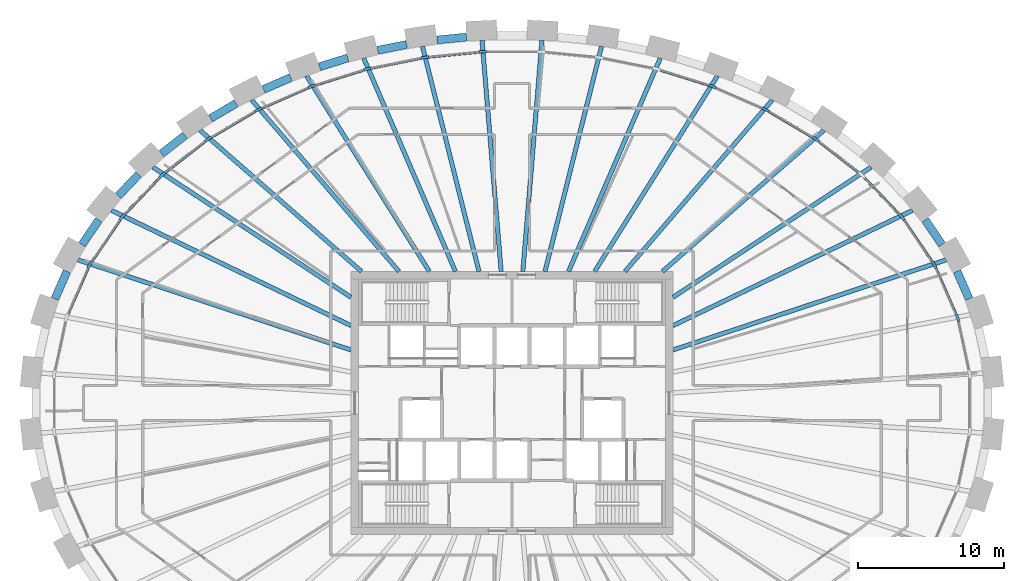
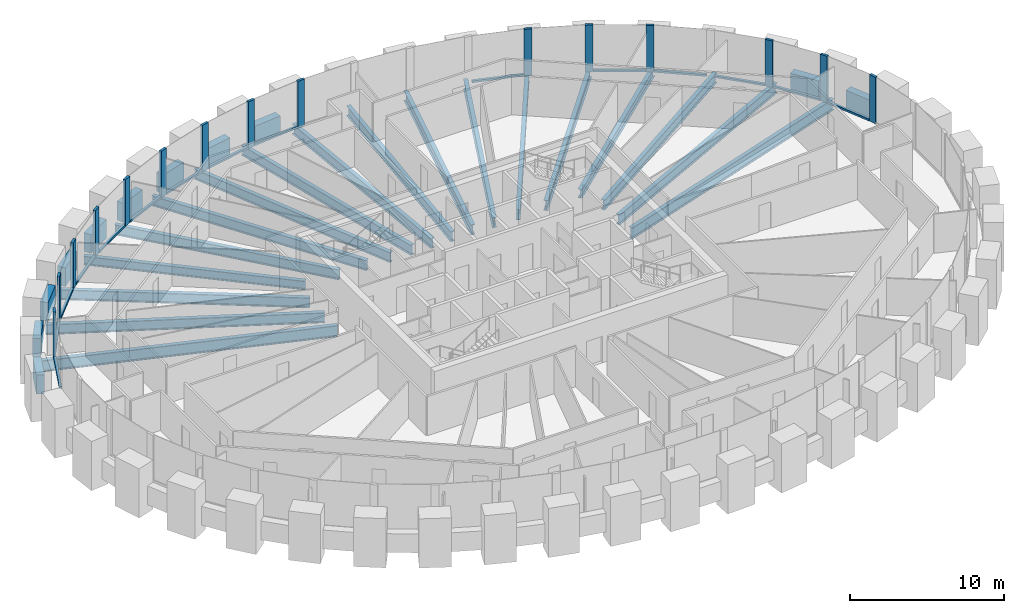
# One storey, part 3 of 12: 30 members, 29 beams, 1 element without a shape of its own.
"""IFC4 building model written with IfcOpenShell, lengths in metres."""

from ifc_helpers import new_model, si_unit, direction, frame, origin, origin_2d, place, context, subcontext, project, spatial, rectangle, i_section, extrude, source, transform, mapped, material, material_profile, profile_set, type_object, element, aggregate, save


model = new_model("IFC4")

# Units and contexts
model_context = context("Model", 3, precision=1e-05, world=origin(), true_north=direction((0.0, 1.0)))
body_context = subcontext(model_context, "Body", "Model", "MODEL_VIEW")
ifc_project = project(units=[si_unit("LENGTHUNIT", "METRE"), si_unit("AREAUNIT", "SQUARE_METRE"), si_unit("VOLUMEUNIT", "CUBIC_METRE"), si_unit("PLANEANGLEUNIT", "RADIAN"), si_unit("MASSUNIT", "GRAM", prefix="KILO")], contexts=[model_context])

# Site, building, storey
site_placement = place(None, origin())
site = spatial("IfcSite", under=ifc_project, at=site_placement, CompositionType="ELEMENT")
building_placement = place(site_placement, origin())
building = spatial("IfcBuilding", under=site, at=building_placement, Name="Embergate Tower", CompositionType="ELEMENT")
storey_placement = place(building_placement, frame((0.0, 0.0, 265.60009765625)))
storey = spatial("IfcBuildingStorey", under=building, at=storey_placement, Name="L61", CompositionType="ELEMENT", Elevation=265.60009765625)

# Beams
ifc_material_1 = material(Name="Concrete C60", Category="concrete")
ifc_material_profile_1 = material_profile(ifc_material_1, rectangle(XDim=0.550048828125, YDim=1.5, at=origin_2d()), Name="RC 550x1500")
ifc_profile_set_1 = profile_set([ifc_material_profile_1], Name="Concrete C60")
beam_type_1 = type_object("IfcBeamType", Name="Spandrel beam RC 550x1500 C60", PredefinedType="BEAM", material=ifc_profile_set_1)
shared_shape_1 = source(origin(), body_context, "Body", "SweptSolid", [
    extrude(rectangle(XDim=0.550048828125, YDim=1.5, at=origin_2d()), origin(), (0.0, 0.0, 1.0), 2.054443359375),
])
for number, where, z_axis, x_axis, name in (
    (1, (31.264892578125, 7.126953125, 0.0), (-0.402021652571, 0.915630160526, 0.0), (-0.915630160526, -0.402021652571, 0.0), "SPN-L61-01"),
    (2, (-30.43896484375, 9.008056640625, 0.0), (-0.402021652571, -0.915630160526, 0.0), (0.915630160526, -0.402021652571, 0.0), "SPN-L61-19"),
):
    element("IfcBeam", number, at=place(storey_placement, frame(where, z_axis=z_axis, x_axis=x_axis)), inside=storey, type_object=beam_type_1, Name=name, PredefinedType="BEAM", context=body_context, shape_type="MappedRepresentation", body=[
        mapped(shared_shape_1, transform((0.0, 0.0, 0.0))),
    ])
shared_shape_2 = source(origin(), body_context, "Body", "SweptSolid", [
    extrude(rectangle(XDim=0.550048828125, YDim=1.5, at=origin_2d()), origin(), (0.0, 0.0, 1.0), 2.046630859375),
])
for number, where, z_axis, x_axis, name in (
    (3, (29.405029296875, 10.8359375, 0.0), (-0.562466632366, 0.826819984927, 0.0), (-0.826819984927, -0.562466632366, 0.0), "SPN-L61-02"),
    (4, (-28.25390625, 12.528076171875, 0.0), (-0.562466632366, -0.826819984927, 0.0), (0.826819984927, -0.562466632366, 0.0), "SPN-L61-18"),
):
    element("IfcBeam", number, at=place(storey_placement, frame(where, z_axis=z_axis, x_axis=x_axis)), inside=storey, type_object=beam_type_1, Name=name, PredefinedType="BEAM", context=body_context, shape_type="MappedRepresentation", body=[
        mapped(shared_shape_2, transform((0.0, 0.0, 0.0))),
    ])
shared_shape_3 = source(origin(), body_context, "Body", "SweptSolid", [
    extrude(rectangle(XDim=0.550048828125, YDim=1.5, at=origin_2d()), origin(), (0.0, 0.0, 1.0), 2.042724609375),
])
beam_1_placement = place(storey_placement, frame((-25.52490234375, 15.638916015625, 0.0), z_axis=(-0.690299494905, -0.723523743448, 0.0), x_axis=(0.723523743448, -0.690299494905, 0.0)))
element("IfcBeam", 5, at=beam_1_placement, inside=storey, type_object=beam_type_1, Name="SPN-L61-17", PredefinedType="BEAM", context=body_context, shape_type="MappedRepresentation", body=[
    mapped(shared_shape_3, transform((0.0, 0.0, 0.0))),
])
shared_shape_4 = source(origin(), body_context, "Body", "SweptSolid", [
    extrude(rectangle(XDim=0.550048828125, YDim=1.5, at=origin_2d()), origin(), (0.0, 0.0, 1.0), 2.038330078125),
])
beam_2_placement = place(storey_placement, frame((-22.362060546875, 18.302978515625, 0.0), z_axis=(-0.78838379352, -0.615183707615, 0.0), x_axis=(0.615183707615, -0.78838379352, 0.0)))
element("IfcBeam", 6, at=beam_2_placement, inside=storey, type_object=beam_type_1, Name="SPN-L61-16", PredefinedType="BEAM", context=body_context, shape_type="MappedRepresentation", body=[
    mapped(shared_shape_4, transform((0.0, 0.0, 0.0))),
])
shared_shape_5 = source(origin(), body_context, "Body", "SweptSolid", [
    extrude(rectangle(XDim=0.550048828125, YDim=1.5, at=origin_2d()), origin(), (0.0, 0.0, 1.0), 2.0322265625),
])
beam_3_placement = place(storey_placement, frame((-18.862060546875, 20.4970703125, 0.0), z_axis=(-0.862048455152, -0.50682586849, 0.0), x_axis=(0.50682586849, -0.862048455152, 0.0)))
element("IfcBeam", 7, at=beam_3_placement, inside=storey, type_object=beam_type_1, Name="SPN-L61-15", PredefinedType="BEAM", context=body_context, shape_type="MappedRepresentation", body=[
    mapped(shared_shape_5, transform((0.0, 0.0, 0.0))),
])
shared_shape_6 = source(origin(), body_context, "Body", "SweptSolid", [
    extrude(rectangle(XDim=0.550048828125, YDim=1.5, at=origin_2d()), origin(), (0.0, 0.0, 1.0), 2.03076171875),
])
beam_4_placement = place(storey_placement, frame((-15.131103515625, 22.264892578125, 0.0), z_axis=(-0.916361402872, -0.400352069216, 0.0), x_axis=(0.400352069216, -0.916361402872, 0.0)))
element("IfcBeam", 8, at=beam_4_placement, inside=storey, type_object=beam_type_1, Name="SPN-L61-14", PredefinedType="BEAM", context=body_context, shape_type="MappedRepresentation", body=[
    mapped(shared_shape_6, transform((0.0, 0.0, 0.0))),
])
shared_shape_7 = source(origin(), body_context, "Body", "SweptSolid", [
    extrude(rectangle(XDim=0.550048828125, YDim=1.5, at=origin_2d()), origin(), (0.0, 0.0, 1.0), 2.02880859375),
])
beam_5_placement = place(storey_placement, frame((-11.22705078125, 23.60205078125, 0.0), z_axis=(-0.954800624546, -0.297246980417, 0.0), x_axis=(0.297246980417, -0.954800624546, 0.0)))
element("IfcBeam", 9, at=beam_5_placement, inside=storey, type_object=beam_type_1, Name="SPN-L61-13", PredefinedType="BEAM", context=body_context, shape_type="MappedRepresentation", body=[
    mapped(shared_shape_7, transform((0.0, 0.0, 0.0))),
])
shared_shape_8 = source(origin(), body_context, "Body", "SweptSolid", [
    extrude(rectangle(XDim=0.550048828125, YDim=1.5, at=origin_2d()), origin(), (0.0, 0.0, 1.0), 2.02734375),
])
beam_6_placement = place(storey_placement, frame((-7.2041015625, 24.52001953125, 0.0), z_axis=(-0.980543602706, -0.196301409041, 0.0), x_axis=(0.196301409041, -0.980543602706, 0.0)))
element("IfcBeam", 10, at=beam_6_placement, inside=storey, type_object=beam_type_1, Name="SPN-L61-12", PredefinedType="BEAM", context=body_context, shape_type="MappedRepresentation", body=[
    mapped(shared_shape_8, transform((0.0, 0.0, 0.0))),
])
shared_shape_9 = source(origin(), body_context, "Body", "SweptSolid", [
    extrude(rectangle(XDim=0.550048828125, YDim=1.5, at=origin_2d()), origin(), (0.0, 0.0, 1.0), 2.025634765625),
])
beam_7_placement = place(storey_placement, frame((-3.111083984375, 25.028076171875, 0.0), z_axis=(-0.995211067802, -0.097749324935, 0.0), x_axis=(0.097749324935, -0.995211067802, 0.0)))
element("IfcBeam", 11, at=beam_7_placement, inside=storey, type_object=beam_type_1, Name="SPN-L61-11", PredefinedType="BEAM", context=body_context, shape_type="MappedRepresentation", body=[
    mapped(shared_shape_9, transform((0.0, 0.0, 0.0))),
])
ifc_material_2 = material(Name="Steel Q355B", Category="steel")
ifc_material_profile_2 = material_profile(ifc_material_2, i_section(OverallWidth=0.300048828125, OverallDepth=0.89990234375, WebThickness=0.01611328125, FlangeThickness=0.028076171875, FilletRadius=0.028076171875, at=origin_2d()), Name="HN 900x300x16x28")
ifc_profile_set_2 = profile_set([ifc_material_profile_2], Name="Steel Q355 grade B")
beam_type_2 = type_object("IfcBeamType", Name="Radial girder HN 900x300x16x28", PredefinedType="BEAM", material=ifc_profile_set_2)
shared_shape_10 = source(origin(), body_context, "Body", "SweptSolid", [
    extrude(i_section(OverallWidth=0.300048828125, OverallDepth=0.89990234375, WebThickness=0.01611328125, FlangeThickness=0.028076171875, FilletRadius=0.028076171875, at=origin_2d()), origin(), (0.0, 0.0, 1.0), 19.67578125),
])
for number, where, z_axis, x_axis, name in (
    (12, (29.68603515625, 9.7900390625, -0.650146484375), (-0.949693396369, -0.313181182215, 0.0), (0.313181182215, -0.949693396369, 0.0), "GIR-L61-02"),
    (13, (-29.68603515625, 9.7900390625, -0.650146484375), (0.949693396369, -0.313181182215, 0.0), (0.313181182215, 0.949693396369, 0.0), "GIR-L61-19"),
):
    element("IfcBeam", number, at=place(storey_placement, frame(where, z_axis=z_axis, x_axis=x_axis)), inside=storey, type_object=beam_type_2, Name=name, PredefinedType="BEAM", context=body_context, shape_type="MappedRepresentation", body=[
        mapped(shared_shape_10, transform((0.0, 0.0, 0.0))),
    ])
ifc_material_profile_3 = material_profile(ifc_material_2, i_section(OverallWidth=0.300048828125, OverallDepth=0.800048828125, WebThickness=0.013916015625, FlangeThickness=0.02587890625, FilletRadius=0.028076171875, at=origin_2d()), Name="HN 800x300x14x26")
ifc_profile_set_3 = profile_set([ifc_material_profile_3], Name="Steel Q355 grade B")
beam_type_3 = type_object("IfcBeamType", Name="Radial girder HN 800x300x14x26", PredefinedType="BEAM", material=ifc_profile_set_3)
shared_shape_11 = source(origin(), body_context, "Body", "SweptSolid", [
    extrude(i_section(OverallWidth=0.300048828125, OverallDepth=0.800048828125, WebThickness=0.013916015625, FlangeThickness=0.02587890625, FilletRadius=0.028076171875, at=origin_2d()), origin(), (0.0, 0.0, 1.0), 18.182373046875),
])
for number, where, z_axis, x_axis, name in (
    (14, (27.385009765625, 13.174072265625, -0.60009765625), (-0.901152068073, -0.433503114415, 0.0), (0.433503114415, -0.901152068073, 0.0), "GIR-L61-03"),
    (15, (-27.385009765625, 13.174072265625, -0.60009765625), (0.901152068073, -0.433503114415, 0.0), (0.433503114415, 0.901152068073, 0.0), "GIR-L61-18"),
):
    element("IfcBeam", number, at=place(storey_placement, frame(where, z_axis=z_axis, x_axis=x_axis)), inside=storey, type_object=beam_type_3, Name=name, PredefinedType="BEAM", context=body_context, shape_type="MappedRepresentation", body=[
        mapped(shared_shape_11, transform((0.0, 0.0, 0.0))),
    ])
shared_shape_12 = source(origin(), body_context, "Body", "SweptSolid", [
    extrude(i_section(OverallWidth=0.300048828125, OverallDepth=0.800048828125, WebThickness=0.013916015625, FlangeThickness=0.02587890625, FilletRadius=0.028076171875, at=origin_2d()), origin(), (0.0, 0.0, 1.0), 16.224853515625),
])
for number, where, z_axis, x_axis, name in (
    (16, (24.56005859375, 16.135986328125, -0.60009765625), (-0.83576092079, -0.549093510506, 0.0), (0.549093510506, -0.83576092079, 0.0), "GIR-L61-04"),
    (17, (-24.56005859375, 16.135986328125, -0.60009765625), (0.83576092079, -0.549093510506, 0.0), (0.549093510506, 0.83576092079, 0.0), "GIR-L61-17"),
):
    element("IfcBeam", number, at=place(storey_placement, frame(where, z_axis=z_axis, x_axis=x_axis)), inside=storey, type_object=beam_type_3, Name=name, PredefinedType="BEAM", context=body_context, shape_type="MappedRepresentation", body=[
        mapped(shared_shape_12, transform((0.0, 0.0, 0.0))),
    ])
ifc_material_profile_4 = material_profile(ifc_material_2, i_section(OverallWidth=0.300048828125, OverallDepth=0.699951171875, WebThickness=0.012939453125, FlangeThickness=0.02392578125, FilletRadius=0.01806640625, at=origin_2d()), Name="HN 700x300x13x24")
ifc_profile_set_4 = profile_set([ifc_material_profile_4], Name="Steel Q355 grade B")
beam_type_4 = type_object("IfcBeamType", Name="Radial girder HN 700x300x13x24", PredefinedType="BEAM", material=ifc_profile_set_4)
shared_shape_13 = source(origin(), body_context, "Body", "SweptSolid", [
    extrude(i_section(OverallWidth=0.300048828125, OverallDepth=0.699951171875, WebThickness=0.012939453125, FlangeThickness=0.02392578125, FilletRadius=0.01806640625, at=origin_2d()), origin(), (0.0, 0.0, 1.0), 14.66845703125),
])
for number, where, z_axis, x_axis, name in (
    (18, (21.3330078125, 18.656005859375, -0.550048828125), (-0.752770497305, -0.658283053395, 0.0), (0.658283053395, -0.752770497305, 0.0), "GIR-L61-05"),
    (19, (-21.3330078125, 18.656005859375, -0.550048828125), (0.752770497305, -0.658283053395, 0.0), (0.658283053395, 0.752770497305, 0.0), "GIR-L61-16"),
):
    element("IfcBeam", number, at=place(storey_placement, frame(where, z_axis=z_axis, x_axis=x_axis)), inside=storey, type_object=beam_type_4, Name=name, PredefinedType="BEAM", context=body_context, shape_type="MappedRepresentation", body=[
        mapped(shared_shape_13, transform((0.0, 0.0, 0.0))),
    ])
shared_shape_14 = source(origin(), body_context, "Body", "SweptSolid", [
    extrude(i_section(OverallWidth=0.300048828125, OverallDepth=0.800048828125, WebThickness=0.013916015625, FlangeThickness=0.02587890625, FilletRadius=0.028076171875, at=origin_2d()), origin(), (0.0, 0.0, 1.0), 15.462890625),
])
for number, where, z_axis, x_axis, name in (
    (20, (17.802978515625, 20.73095703125, -0.60009765625), (-0.651494533004, -0.75865332891, 0.0), (0.75865332891, -0.651494533004, 0.0), "GIR-L61-06"),
    (21, (-17.802978515625, 20.73095703125, -0.60009765625), (0.651494533004, -0.75865332891, 0.0), (0.75865332891, 0.651494533004, 0.0), "GIR-L61-15"),
):
    element("IfcBeam", number, at=place(storey_placement, frame(where, z_axis=z_axis, x_axis=x_axis)), inside=storey, type_object=beam_type_3, Name=name, PredefinedType="BEAM", context=body_context, shape_type="MappedRepresentation", body=[
        mapped(shared_shape_14, transform((0.0, 0.0, 0.0))),
    ])
shared_shape_15 = source(origin(), body_context, "Body", "SweptSolid", [
    extrude(i_section(OverallWidth=0.300048828125, OverallDepth=0.800048828125, WebThickness=0.013916015625, FlangeThickness=0.02587890625, FilletRadius=0.028076171875, at=origin_2d()), origin(), (0.0, 0.0, 1.0), 15.791015625),
])
for number, where, z_axis, x_axis, name in (
    (22, (14.051025390625, 22.3720703125, -0.60009765625), (-0.531882110567, -0.846818410557, 0.0), (0.846818410557, -0.531882110567, 0.0), "GIR-L61-07"),
    (23, (-14.051025390625, 22.3720703125, -0.60009765625), (0.531882110567, -0.846818410557, 0.0), (0.846818410557, 0.531882110567, 0.0), "GIR-L61-14"),
):
    element("IfcBeam", number, at=place(storey_placement, frame(where, z_axis=z_axis, x_axis=x_axis)), inside=storey, type_object=beam_type_3, Name=name, PredefinedType="BEAM", context=body_context, shape_type="MappedRepresentation", body=[
        mapped(shared_shape_15, transform((0.0, 0.0, 0.0))),
    ])
shared_shape_16 = source(origin(), body_context, "Body", "SweptSolid", [
    extrude(i_section(OverallWidth=0.300048828125, OverallDepth=0.800048828125, WebThickness=0.013916015625, FlangeThickness=0.02587890625, FilletRadius=0.028076171875, at=origin_2d()), origin(), (0.0, 0.0, 1.0), 15.881103515625),
])
for number, where, z_axis, x_axis, name in (
    (24, (10.14111328125, 23.590087890625, -0.60009765625), (-0.394946920714, -0.918703940243, 0.0), (0.918703940243, -0.394946920714, 0.0), "GIR-L61-08"),
    (25, (-10.14111328125, 23.590087890625, -0.60009765625), (0.394946920714, -0.918703940243, 0.0), (0.918703940243, 0.394946920714, 0.0), "GIR-L61-13"),
):
    element("IfcBeam", number, at=place(storey_placement, frame(where, z_axis=z_axis, x_axis=x_axis)), inside=storey, type_object=beam_type_3, Name=name, PredefinedType="BEAM", context=body_context, shape_type="MappedRepresentation", body=[
        mapped(shared_shape_16, transform((0.0, 0.0, 0.0))),
    ])
shared_shape_17 = source(origin(), body_context, "Body", "SweptSolid", [
    extrude(i_section(OverallWidth=0.300048828125, OverallDepth=0.800048828125, WebThickness=0.013916015625, FlangeThickness=0.02587890625, FilletRadius=0.028076171875, at=origin_2d()), origin(), (0.0, 0.0, 1.0), 15.872802734375),
])
for number, where, z_axis, x_axis, name in (
    (26, (6.1240234375, 24.39501953125, -0.60009765625), (-0.243498181484, -0.969901353548, 0.0), (0.969901353548, -0.243498181484, 0.0), "GIR-L61-09"),
    (27, (-6.1240234375, 24.39501953125, -0.60009765625), (0.243498181484, -0.969901353548, 0.0), (0.969901353548, 0.243498181484, 0.0), "GIR-L61-12"),
):
    element("IfcBeam", number, at=place(storey_placement, frame(where, z_axis=z_axis, x_axis=x_axis)), inside=storey, type_object=beam_type_3, Name=name, PredefinedType="BEAM", context=body_context, shape_type="MappedRepresentation", body=[
        mapped(shared_shape_17, transform((0.0, 0.0, 0.0))),
    ])
shared_shape_18 = source(origin(), body_context, "Body", "SweptSolid", [
    extrude(i_section(OverallWidth=0.300048828125, OverallDepth=0.800048828125, WebThickness=0.013916015625, FlangeThickness=0.02587890625, FilletRadius=0.028076171875, at=origin_2d()), origin(), (0.0, 0.0, 1.0), 15.849609375),
])
for number, where, z_axis, x_axis, name in (
    (28, (2.048095703125, 24.7958984375, -0.60009765625), (-0.082346886075, -0.996603727845, 0.0), (0.996603727845, -0.082346886075, 0.0), "GIR-L61-10"),
    (29, (-2.048095703125, 24.7958984375, -0.60009765625), (0.082346886075, -0.996603727845, 0.0), (0.996603727845, 0.082346886075, 0.0), "GIR-L61-11"),
):
    element("IfcBeam", number, at=place(storey_placement, frame(where, z_axis=z_axis, x_axis=x_axis)), inside=storey, type_object=beam_type_3, Name=name, PredefinedType="BEAM", context=body_context, shape_type="MappedRepresentation", body=[
        mapped(shared_shape_18, transform((0.0, 0.0, 0.0))),
    ])

# Curtain wall, members
ifc_material_3 = material(Name="Aluminium and glass", Category="aluminium")
curtain_wall_type = type_object("IfcCurtainWallType", Name="Recessed office glazing", PredefinedType="NOTDEFINED", material=ifc_material_3)
curtain_wall_placement = place(storey_placement, origin())
curtain_wall = element("IfcCurtainWall", 30, at=curtain_wall_placement, inside=storey, type_object=curtain_wall_type, Name="Recessed office glazing ring", ObjectType="RECESSED OFFICE GLAZING", PredefinedType="USERDEFINED")
ifc_material_4 = material(Name="Aluminium, thermally broken", Category="aluminium")
ifc_material_profile_5 = material_profile(ifc_material_4, rectangle(XDim=0.179931640625, YDim=0.52001953125, at=origin_2d()), Name="AL 520x180")
ifc_profile_set_5 = profile_set([ifc_material_profile_5], Name="Aluminium, thermally broken")
member_type_1 = type_object("IfcMemberType", Name="Office mullion", PredefinedType="MULLION", material=ifc_profile_set_5)
shared_shape_19 = source(origin(), body_context, "Body", "SweptSolid", [
    extrude(rectangle(XDim=0.179931640625, YDim=0.52001953125, at=origin_2d()), origin(), (0.0, 0.0, 1.0), 3.699951171875),
])
member_1_placement = place(storey_placement, frame((30.47119140625, 5.82861328125, 0.0), z_axis=(0.0, 0.0, 1.0), x_axis=(-0.951492965233, -0.307670500881, 0.0)))
member_1 = element("IfcMember", 31, at=member_1_placement, type_object=member_type_1, Name="CW mullion 2", PredefinedType="MULLION", context=body_context, shape_type="MappedRepresentation", body=[
    mapped(shared_shape_19, transform((0.0, 0.0, 0.0))),
])
member_2_placement = place(storey_placement, frame((28.8837890625, 9.447998046875, 0.0), z_axis=(0.0, 0.0, 1.0), x_axis=(-0.874992601244, -0.484136290489, 0.0)))
member_2 = element("IfcMember", 32, at=member_2_placement, type_object=member_type_1, Name="CW mullion 3", PredefinedType="MULLION", context=body_context, shape_type="MappedRepresentation", body=[
    mapped(shared_shape_19, transform((0.0, 0.0, 0.0))),
])
member_3_placement = place(storey_placement, frame((26.656494140625, 12.72314453125, 0.0), z_axis=(0.0, 0.0, 1.0), x_axis=(-0.777861596203, -0.628435626897, 0.0)))
member_3 = element("IfcMember", 33, at=member_3_placement, type_object=member_type_1, Name="CW mullion 4", PredefinedType="MULLION", context=body_context, shape_type="MappedRepresentation", body=[
    mapped(shared_shape_19, transform((0.0, 0.0, 0.0))),
])
member_4_placement = place(storey_placement, frame((20.781982421875, 18.042236328125, 0.0), z_axis=(0.0, 0.0, 1.0), x_axis=(-0.562207514921, -0.82699619719, 0.0)))
member_4 = element("IfcMember", 34, at=member_4_placement, type_object=member_type_1, Name="CW mullion 6", PredefinedType="MULLION", context=body_context, shape_type="MappedRepresentation", body=[
    mapped(shared_shape_19, transform((0.0, 0.0, 0.0))),
])
member_5_placement = place(storey_placement, frame((17.34912109375, 20.060791015625, 0.0), z_axis=(0.0, 0.0, 1.0), x_axis=(-0.454503607328, -0.89074489666, 0.0)))
member_5 = element("IfcMember", 35, at=member_5_placement, type_object=member_type_1, Name="CW mullion 7", PredefinedType="MULLION", context=body_context, shape_type="MappedRepresentation", body=[
    mapped(shared_shape_19, transform((0.0, 0.0, 0.0))),
])
member_6_placement = place(storey_placement, frame((13.69580078125, 21.657958984375, 0.0), z_axis=(0.0, 0.0, 1.0), x_axis=(-0.349496141799, -0.936937803094, 0.0)))
member_6 = element("IfcMember", 36, at=member_6_placement, type_object=member_type_1, Name="CW mullion 8", PredefinedType="MULLION", context=body_context, shape_type="MappedRepresentation", body=[
    mapped(shared_shape_19, transform((0.0, 0.0, 0.0))),
])
member_7_placement = place(storey_placement, frame((-1.9970703125, 24.020263671875, 0.0), z_axis=(0.0, 0.0, 1.0), x_axis=(0.048970053385, -0.998800247232, 0.0)))
member_7 = element("IfcMember", 37, at=member_7_placement, type_object=member_type_1, Name="CW mullion 12", PredefinedType="MULLION", context=body_context, shape_type="MappedRepresentation", body=[
    mapped(shared_shape_19, transform((0.0, 0.0, 0.0))),
])
member_8_placement = place(storey_placement, frame((-5.9716796875, 23.629638671875, 0.0), z_axis=(0.0, 0.0, 1.0), x_axis=(0.147408930294, -0.989075632735, 0.0)))
member_8 = element("IfcMember", 38, at=member_8_placement, type_object=member_type_1, Name="CW mullion 13", PredefinedType="MULLION", context=body_context, shape_type="MappedRepresentation", body=[
    mapped(shared_shape_19, transform((0.0, 0.0, 0.0))),
])
member_9_placement = place(storey_placement, frame((-9.885986328125, 22.844482421875, 0.0), z_axis=(0.0, 0.0, 1.0), x_axis=(0.24730680803, -0.968937223303, 0.0)))
member_9 = element("IfcMember", 39, at=member_9_placement, type_object=member_type_1, Name="CW mullion 14", PredefinedType="MULLION", context=body_context, shape_type="MappedRepresentation", body=[
    mapped(shared_shape_19, transform((0.0, 0.0, 0.0))),
])
member_10_placement = place(storey_placement, frame((-13.69580078125, 21.657958984375, 0.0), z_axis=(0.0, 0.0, 1.0), x_axis=(0.349496141799, -0.936937803094, 0.0)))
member_10 = element("IfcMember", 40, at=member_10_placement, type_object=member_type_1, Name="CW mullion 15", PredefinedType="MULLION", context=body_context, shape_type="MappedRepresentation", body=[
    mapped(shared_shape_19, transform((0.0, 0.0, 0.0))),
])
member_11_placement = place(storey_placement, frame((-17.34912109375, 20.060791015625, 0.0), z_axis=(0.0, 0.0, 1.0), x_axis=(0.454503607328, -0.89074489666, 0.0)))
member_11 = element("IfcMember", 41, at=member_11_placement, type_object=member_type_1, Name="CW mullion 16", PredefinedType="MULLION", context=body_context, shape_type="MappedRepresentation", body=[
    mapped(shared_shape_19, transform((0.0, 0.0, 0.0))),
])
member_12_placement = place(storey_placement, frame((-20.781982421875, 18.042236328125, 0.0), z_axis=(0.0, 0.0, 1.0), x_axis=(0.562207514921, -0.82699619719, 0.0)))
member_12 = element("IfcMember", 42, at=member_12_placement, type_object=member_type_1, Name="CW mullion 17", PredefinedType="MULLION", context=body_context, shape_type="MappedRepresentation", body=[
    mapped(shared_shape_19, transform((0.0, 0.0, 0.0))),
])
member_13_placement = place(storey_placement, frame((-23.9169921875, 15.595703125, 0.0), z_axis=(0.0, 0.0, 1.0), x_axis=(0.671216184057, -0.741261650337, 0.0)))
member_13 = element("IfcMember", 43, at=member_13_placement, type_object=member_type_1, Name="CW mullion 18", PredefinedType="MULLION", context=body_context, shape_type="MappedRepresentation", body=[
    mapped(shared_shape_19, transform((0.0, 0.0, 0.0))),
])
member_14_placement = place(storey_placement, frame((-26.656494140625, 12.72314453125, 0.0), z_axis=(0.0, 0.0, 1.0), x_axis=(0.777861596203, -0.628435626897, 0.0)))
member_14 = element("IfcMember", 44, at=member_14_placement, type_object=member_type_1, Name="CW mullion 19", PredefinedType="MULLION", context=body_context, shape_type="MappedRepresentation", body=[
    mapped(shared_shape_19, transform((0.0, 0.0, 0.0))),
])
member_15_placement = place(storey_placement, frame((-28.8837890625, 9.447998046875, 0.0), z_axis=(0.0, 0.0, 1.0), x_axis=(0.874992601244, -0.484136290489, 0.0)))
member_15 = element("IfcMember", 45, at=member_15_placement, type_object=member_type_1, Name="CW mullion 20", PredefinedType="MULLION", context=body_context, shape_type="MappedRepresentation", body=[
    mapped(shared_shape_19, transform((0.0, 0.0, 0.0))),
])
ifc_material_profile_6 = material_profile(ifc_material_4, rectangle(XDim=0.179931640625, YDim=0.14990234375, at=origin_2d()), Name="AL 150x180")
ifc_profile_set_6 = profile_set([ifc_material_profile_6], Name="Aluminium, thermally broken")
member_type_2 = type_object("IfcMemberType", Name="Office sill transom", PredefinedType="USERDEFINED", material=ifc_profile_set_6)
shared_shape_20 = source(origin(), body_context, "Body", "SweptSolid", [
    extrude(rectangle(XDim=0.179931640625, YDim=0.14990234375, at=origin_2d()), origin(), (0.0, 0.0, 1.0), 3.43212890625),
])
member_16_placement = place(storey_placement, frame((30.36669921875, 6.066650390625, 0.074951171875), z_axis=(-0.401632188585, 0.915801061963, 0.0), x_axis=(-0.915801061963, -0.401632188585, 0.0)))
member_16 = element("IfcMember", 46, at=member_16_placement, type_object=member_type_2, Name="CW transom 2.1", ObjectType="TRANSOM", PredefinedType="USERDEFINED", context=body_context, shape_type="MappedRepresentation", body=[
    mapped(shared_shape_20, transform((0.0, 0.0, 0.0))),
])
member_17_placement = place(storey_placement, frame((-28.98828125, 9.209716796875, 0.074951171875), z_axis=(-0.401632188585, -0.915801061963, 0.0), x_axis=(0.915801061963, -0.401632188585, 0.0)))
member_17 = element("IfcMember", 47, at=member_17_placement, type_object=member_type_2, Name="CW transom 20.1", ObjectType="TRANSOM", PredefinedType="USERDEFINED", context=body_context, shape_type="MappedRepresentation", body=[
    mapped(shared_shape_20, transform((0.0, 0.0, 0.0))),
])
shared_shape_21 = source(origin(), body_context, "Body", "SweptSolid", [
    extrude(rectangle(XDim=0.179931640625, YDim=0.14990234375, at=origin_2d()), origin(), (0.0, 0.0, 1.0), 3.44091796875),
])
member_18_placement = place(storey_placement, frame((28.737548828125, 9.662841796875, 0.074951171875), z_axis=(-0.562372122954, 0.826884269607, 0.0), x_axis=(-0.826884269607, -0.562372122954, 0.0)))
member_18 = element("IfcMember", 48, at=member_18_placement, type_object=member_type_2, Name="CW transom 3.1", ObjectType="TRANSOM", PredefinedType="USERDEFINED", context=body_context, shape_type="MappedRepresentation", body=[
    mapped(shared_shape_21, transform((0.0, 0.0, 0.0))),
])
member_19_placement = place(storey_placement, frame((-26.802490234375, 12.508056640625, 0.074951171875), z_axis=(-0.562372122954, -0.826884269607, 0.0), x_axis=(0.826884269607, -0.562372122954, 0.0)))
member_19 = element("IfcMember", 49, at=member_19_placement, type_object=member_type_2, Name="CW transom 19.1", ObjectType="TRANSOM", PredefinedType="USERDEFINED", context=body_context, shape_type="MappedRepresentation", body=[
    mapped(shared_shape_21, transform((0.0, 0.0, 0.0))),
])
shared_shape_22 = source(origin(), body_context, "Body", "SweptSolid", [
    extrude(rectangle(XDim=0.179931640625, YDim=0.14990234375, at=origin_2d()), origin(), (0.0, 0.0, 1.0), 3.449462890625),
])
member_20_placement = place(storey_placement, frame((26.47705078125, 12.9111328125, 0.074951171875), z_axis=(-0.690133956855, 0.723681643815, 0.0), x_axis=(-0.723681643815, -0.690133956855, 0.0)))
member_20 = element("IfcMember", 50, at=member_20_placement, type_object=member_type_2, Name="CW transom 4.1", ObjectType="TRANSOM", PredefinedType="USERDEFINED", context=body_context, shape_type="MappedRepresentation", body=[
    mapped(shared_shape_22, transform((0.0, 0.0, 0.0))),
])
member_21_placement = place(storey_placement, frame((-24.096435546875, 15.407470703125, 0.074951171875), z_axis=(-0.690133956855, -0.723681643815, 0.0), x_axis=(0.723681643815, -0.690133956855, 0.0)))
member_21 = element("IfcMember", 51, at=member_21_placement, type_object=member_type_2, Name="CW transom 18.1", ObjectType="TRANSOM", PredefinedType="USERDEFINED", context=body_context, shape_type="MappedRepresentation", body=[
    mapped(shared_shape_22, transform((0.0, 0.0, 0.0))),
])
shared_shape_23 = source(origin(), body_context, "Body", "SweptSolid", [
    extrude(rectangle(XDim=0.179931640625, YDim=0.14990234375, at=origin_2d()), origin(), (0.0, 0.0, 1.0), 3.456787109375),
])
member_22_placement = place(storey_placement, frame((23.712158203125, 15.755615234375, 0.074951171875), z_axis=(-0.788343354806, 0.615235528016, 0.0), x_axis=(-0.615235528016, -0.788343354806, 0.0)))
member_22 = element("IfcMember", 52, at=member_22_placement, type_object=member_type_2, Name="CW transom 5.1", ObjectType="TRANSOM", PredefinedType="USERDEFINED", context=body_context, shape_type="MappedRepresentation", body=[
    mapped(shared_shape_23, transform((0.0, 0.0, 0.0))),
])
member_23_placement = place(storey_placement, frame((-20.987060546875, 17.88232421875, 0.074951171875), z_axis=(-0.788343354806, -0.615235528016, 0.0), x_axis=(0.615235528016, -0.788343354806, 0.0)))
member_23 = element("IfcMember", 53, at=member_23_placement, type_object=member_type_2, Name="CW transom 17.1", ObjectType="TRANSOM", PredefinedType="USERDEFINED", context=body_context, shape_type="MappedRepresentation", body=[
    mapped(shared_shape_23, transform((0.0, 0.0, 0.0))),
])
shared_shape_24 = source(origin(), body_context, "Body", "SweptSolid", [
    extrude(rectangle(XDim=0.179931640625, YDim=0.14990234375, at=origin_2d()), origin(), (0.0, 0.0, 1.0), 3.462646484375),
])
member_24_placement = place(storey_placement, frame((20.55810546875, 18.174072265625, 0.074951171875), z_axis=(-0.862068308193, 0.506792099394, 0.0), x_axis=(-0.506792099394, -0.862068308193, 0.0)))
member_24 = element("IfcMember", 54, at=member_24_placement, type_object=member_type_2, Name="CW transom 6.1", ObjectType="TRANSOM", PredefinedType="USERDEFINED", context=body_context, shape_type="MappedRepresentation", body=[
    mapped(shared_shape_24, transform((0.0, 0.0, 0.0))),
])
member_25_placement = place(storey_placement, frame((-17.572998046875, 19.928955078125, 0.074951171875), z_axis=(-0.862068308193, -0.506792099394, 0.0), x_axis=(0.506792099394, -0.862068308193, 0.0)))
member_25 = element("IfcMember", 55, at=member_25_placement, type_object=member_type_2, Name="CW transom 16.1", ObjectType="TRANSOM", PredefinedType="USERDEFINED", context=body_context, shape_type="MappedRepresentation", body=[
    mapped(shared_shape_24, transform((0.0, 0.0, 0.0))),
])
shared_shape_25 = source(origin(), body_context, "Body", "SweptSolid", [
    extrude(rectangle(XDim=0.179931640625, YDim=0.14990234375, at=origin_2d()), origin(), (0.0, 0.0, 1.0), 3.467041015625),
])
member_26_placement = place(storey_placement, frame((-13.93408203125, 21.553955078125, 0.074951171875), z_axis=(-0.916217122843, -0.400682148104, 0.0), x_axis=(0.400682148104, -0.916217122843, 0.0)))
member_26 = element("IfcMember", 56, at=member_26_placement, type_object=member_type_2, Name="CW transom 15.1", ObjectType="TRANSOM", PredefinedType="USERDEFINED", context=body_context, shape_type="MappedRepresentation", body=[
    mapped(shared_shape_25, transform((0.0, 0.0, 0.0))),
])
shared_shape_26 = source(origin(), body_context, "Body", "SweptSolid", [
    extrude(rectangle(XDim=0.179931640625, YDim=0.14990234375, at=origin_2d()), origin(), (0.0, 0.0, 1.0), 3.470458984375),
])
member_27_placement = place(storey_placement, frame((13.44775390625, 21.7353515625, 0.074951171875), z_axis=(-0.954784910088, 0.297297452846, 0.0), x_axis=(-0.297297452846, -0.954784910088, 0.0)))
member_27 = element("IfcMember", 57, at=member_27_placement, type_object=member_type_2, Name="CW transom 8.1", ObjectType="TRANSOM", PredefinedType="USERDEFINED", context=body_context, shape_type="MappedRepresentation", body=[
    mapped(shared_shape_26, transform((0.0, 0.0, 0.0))),
])
member_28_placement = place(storey_placement, frame((-10.13427734375, 22.76708984375, 0.074951171875), z_axis=(-0.954784910088, -0.297297452846, 0.0), x_axis=(0.297297452846, -0.954784910088, 0.0)))
member_28 = element("IfcMember", 58, at=member_28_placement, type_object=member_type_2, Name="CW transom 14.1", ObjectType="TRANSOM", PredefinedType="USERDEFINED", context=body_context, shape_type="MappedRepresentation", body=[
    mapped(shared_shape_26, transform((0.0, 0.0, 0.0))),
])
shared_shape_27 = source(origin(), body_context, "Body", "SweptSolid", [
    extrude(rectangle(XDim=0.179931640625, YDim=0.14990234375, at=origin_2d()), origin(), (0.0, 0.0, 1.0), 3.472412109375),
])
member_29_placement = place(storey_placement, frame((-6.2265625, 23.578369140625, 0.074951171875), z_axis=(-0.980472357372, -0.196656951134, 0.0), x_axis=(0.196656951134, -0.980472357372, 0.0)))
member_29 = element("IfcMember", 59, at=member_29_placement, type_object=member_type_2, Name="CW transom 13.1", ObjectType="TRANSOM", PredefinedType="USERDEFINED", context=body_context, shape_type="MappedRepresentation", body=[
    mapped(shared_shape_27, transform((0.0, 0.0, 0.0))),
])
shared_shape_28 = source(origin(), body_context, "Body", "SweptSolid", [
    extrude(rectangle(XDim=0.179931640625, YDim=0.14990234375, at=origin_2d()), origin(), (0.0, 0.0, 1.0), 3.4736328125),
])
member_30_placement = place(storey_placement, frame((-2.255859375, 23.994873046875, 0.074951171875), z_axis=(-0.99520279702, -0.0978334953, 0.0), x_axis=(0.0978334953, -0.99520279702, 0.0)))
member_30 = element("IfcMember", 60, at=member_30_placement, type_object=member_type_2, Name="CW transom 12.1", ObjectType="TRANSOM", PredefinedType="USERDEFINED", context=body_context, shape_type="MappedRepresentation", body=[
    mapped(shared_shape_28, transform((0.0, 0.0, 0.0))),
])
aggregate(curtain_wall, [member_1, member_2, member_3, member_4, member_5, member_6, member_7, member_8, member_9, member_10, member_11, member_12, member_13, member_14, member_15, member_16, member_18, member_20, member_22, member_24, member_27, member_30, member_29, member_28, member_26, member_25, member_23, member_21, member_19, member_17])

save(model, "model.ifc")
